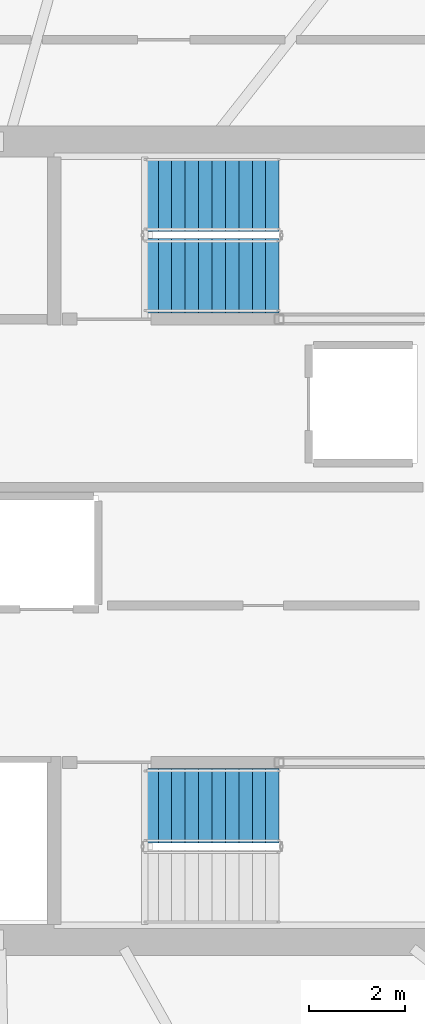
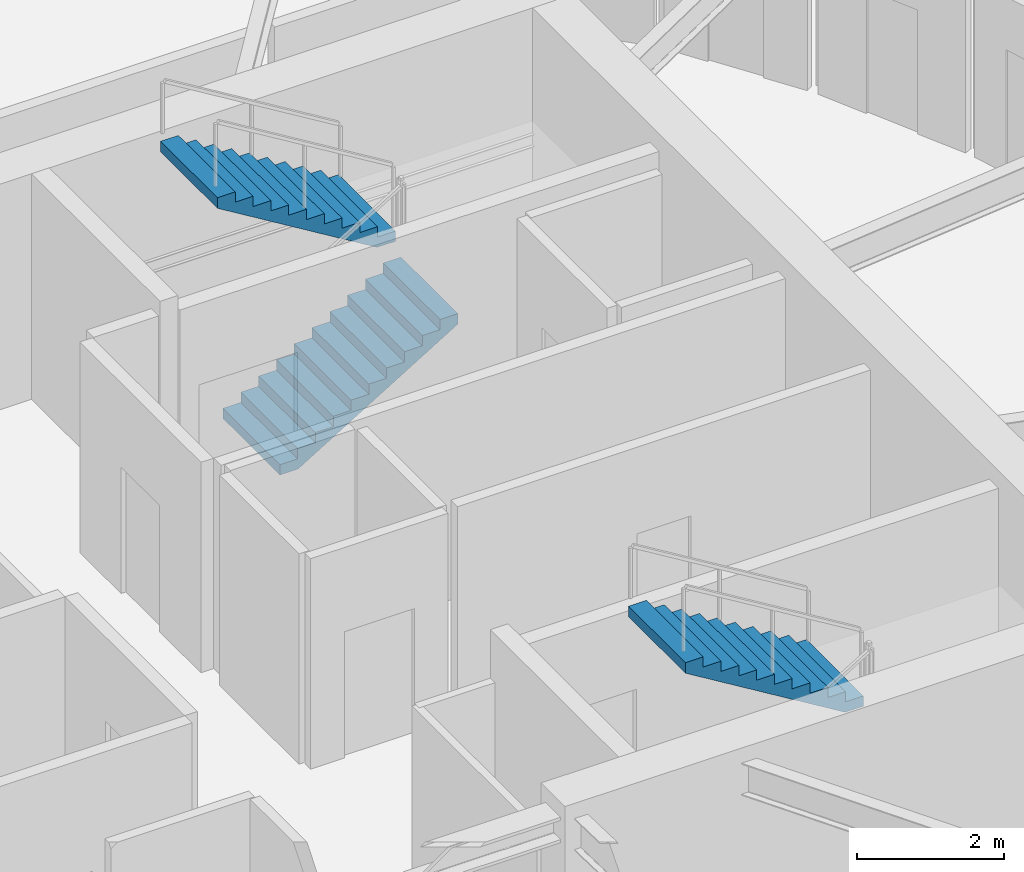
# One storey, part 16 of 21: 3 stair flights, 2 elements without a shape of their own.
"""IFC4 building model written with IfcOpenShell, lengths in metres."""

from ifc_helpers import new_model, si_unit, direction, frame, origin, place, context, subcontext, project, spatial, polyline, outline, extrude, material, type_object, element, aggregate, save


model = new_model("IFC4")

# Units and contexts
model_context = context("Model", 3, precision=1e-05, world=origin(), true_north=direction((0.0, 1.0)))
body_context = subcontext(model_context, "Body", "Model", "MODEL_VIEW")
ifc_project = project(units=[si_unit("LENGTHUNIT", "METRE"), si_unit("AREAUNIT", "SQUARE_METRE"), si_unit("VOLUMEUNIT", "CUBIC_METRE"), si_unit("PLANEANGLEUNIT", "RADIAN"), si_unit("MASSUNIT", "GRAM", prefix="KILO")], contexts=[model_context])

# Site, building, storey
site_placement = place(None, origin())
site = spatial("IfcSite", under=ifc_project, at=site_placement, CompositionType="ELEMENT")
building_placement = place(site_placement, origin())
building = spatial("IfcBuilding", under=site, at=building_placement, Name="Kazma Halo Residences", CompositionType="ELEMENT")
storey_placement = place(building_placement, frame((0.0, 0.0, 195.300048828125)))
storey = spatial("IfcBuildingStorey", under=building, at=storey_placement, Name="L49", CompositionType="ELEMENT", Elevation=195.300048828125)

# Stair, stair flights
ifc_material = material(Name="Concrete C50/60", Category="concrete")
stair_type = type_object("IfcStairType", Name="STR-RES1", PredefinedType="HALF_TURN_STAIR", material=ifc_material)
stair_1_placement = place(storey_placement, origin())
stair_1 = element("IfcStair", 1, at=stair_1_placement, inside=storey, type_object=stair_type, Name="L49 Core exit stair ST-02", PredefinedType="HALF_TURN_STAIR")
stair_flight_type = type_object("IfcStairFlightType", Name="STR-RES1-FLT", PredefinedType="STRAIGHT", material=ifc_material)
stair_flight_1_placement = place(storey_placement, frame((53.199951171875, 47.52490234375, 0.0), z_axis=(0.0, 0.0, 1.0), x_axis=(1.0, 0.0, 0.0)))
stair_flight_1 = element("IfcStairFlight", 2, at=stair_flight_1_placement, type_object=stair_flight_type, Name="ST-02 flight 1", NumberOfRisers=11, NumberOfTreads=10, PredefinedType="STRAIGHT", RiserHeight=0.170454545, TreadLength=0.28, context=body_context, shape_type="SweptSolid", body=[
    extrude(outline(polyline([(0.0, 0.0), (0.0, 0.17041015625), (0.280029296875, 0.17041015625), (0.280029296875, 0.3408203125), (0.56005859375, 0.3408203125), (0.56005859375, 0.511474609375), (0.840087890625, 0.511474609375), (0.840087890625, 0.681884765625), (1.1201171875, 0.681884765625), (1.1201171875, 0.852294921875), (1.39990234375, 0.852294921875), (1.39990234375, 1.022705078125), (1.679931640625, 1.022705078125), (1.679931640625, 1.193115234375), (1.9599609375, 1.193115234375), (1.9599609375, 1.363525390625), (2.239990234375, 1.363525390625), (2.239990234375, 1.5341796875), (2.52001953125, 1.5341796875), (2.52001953125, 1.70458984375), (2.800048828125, 1.70458984375), (2.800048828125, 1.875), (2.800048828125, 1.529052734375), (0.288330078125, 0.0), (0.0, 0.0)])), frame((0.0, 0.77490234375, 0.0), z_axis=(0.0, -1.0, 0.0), x_axis=(1.0, 0.0, 0.0)), (0.0, 0.0, 1.0), 1.550048828125),
])
stair_flight_2_placement = place(storey_placement, frame((56.0, 49.22509765625, 1.875), z_axis=(0.0, 0.0, 1.0), x_axis=(-1.0, 0.0, 0.0)))
stair_flight_2 = element("IfcStairFlight", 3, at=stair_flight_2_placement, type_object=stair_flight_type, Name="ST-02 flight 2", NumberOfRisers=11, NumberOfTreads=10, PredefinedType="STRAIGHT", RiserHeight=0.170454545, TreadLength=0.28, context=body_context, shape_type="SweptSolid", body=[
    extrude(outline(polyline([(0.0, 0.0), (0.0, 0.17041015625), (0.280029296875, 0.17041015625), (0.280029296875, 0.3408203125), (0.56005859375, 0.3408203125), (0.56005859375, 0.511474609375), (0.840087890625, 0.511474609375), (0.840087890625, 0.681884765625), (1.1201171875, 0.681884765625), (1.1201171875, 0.852294921875), (1.39990234375, 0.852294921875), (1.39990234375, 1.022705078125), (1.679931640625, 1.022705078125), (1.679931640625, 1.193115234375), (1.9599609375, 1.193115234375), (1.9599609375, 1.363525390625), (2.239990234375, 1.363525390625), (2.239990234375, 1.5341796875), (2.52001953125, 1.5341796875), (2.52001953125, 1.70458984375), (2.800048828125, 1.70458984375), (2.800048828125, 1.875), (2.800048828125, 1.529052734375), (0.288330078125, 0.0), (0.0, 0.0)])), frame((0.0, 0.77490234375, 0.0), z_axis=(0.0, -1.0, 0.0), x_axis=(1.0, 0.0, 0.0)), (0.0, 0.0, 1.0), 1.550048828125),
])
aggregate(stair_1, [stair_flight_1, stair_flight_2])

# Stair, stair flight
stair_2_placement = place(storey_placement, origin())
stair_2 = element("IfcStair", 4, at=stair_2_placement, inside=storey, type_object=stair_type, Name="L49 Core exit stair ST-03", PredefinedType="HALF_TURN_STAIR")
stair_flight_3_placement = place(storey_placement, frame((56.0, 36.47509765625, 1.875), z_axis=(0.0, 0.0, 1.0), x_axis=(-1.0, 0.0, 0.0)))
stair_flight_3 = element("IfcStairFlight", 5, at=stair_flight_3_placement, type_object=stair_flight_type, Name="ST-03 flight 2", NumberOfRisers=11, NumberOfTreads=10, PredefinedType="STRAIGHT", RiserHeight=0.170454545, TreadLength=0.28, context=body_context, shape_type="SweptSolid", body=[
    extrude(outline(polyline([(0.0, 0.0), (0.0, 0.17041015625), (0.280029296875, 0.17041015625), (0.280029296875, 0.3408203125), (0.56005859375, 0.3408203125), (0.56005859375, 0.511474609375), (0.840087890625, 0.511474609375), (0.840087890625, 0.681884765625), (1.1201171875, 0.681884765625), (1.1201171875, 0.852294921875), (1.39990234375, 0.852294921875), (1.39990234375, 1.022705078125), (1.679931640625, 1.022705078125), (1.679931640625, 1.193115234375), (1.9599609375, 1.193115234375), (1.9599609375, 1.363525390625), (2.239990234375, 1.363525390625), (2.239990234375, 1.5341796875), (2.52001953125, 1.5341796875), (2.52001953125, 1.70458984375), (2.800048828125, 1.70458984375), (2.800048828125, 1.875), (2.800048828125, 1.529052734375), (0.288330078125, 0.0), (0.0, 0.0)])), frame((0.0, 0.77490234375, 0.0), z_axis=(0.0, -1.0, 0.0), x_axis=(1.0, 0.0, 0.0)), (0.0, 0.0, 1.0), 1.550048828125),
])
aggregate(stair_2, [stair_flight_3])

save(model, "model.ifc")
